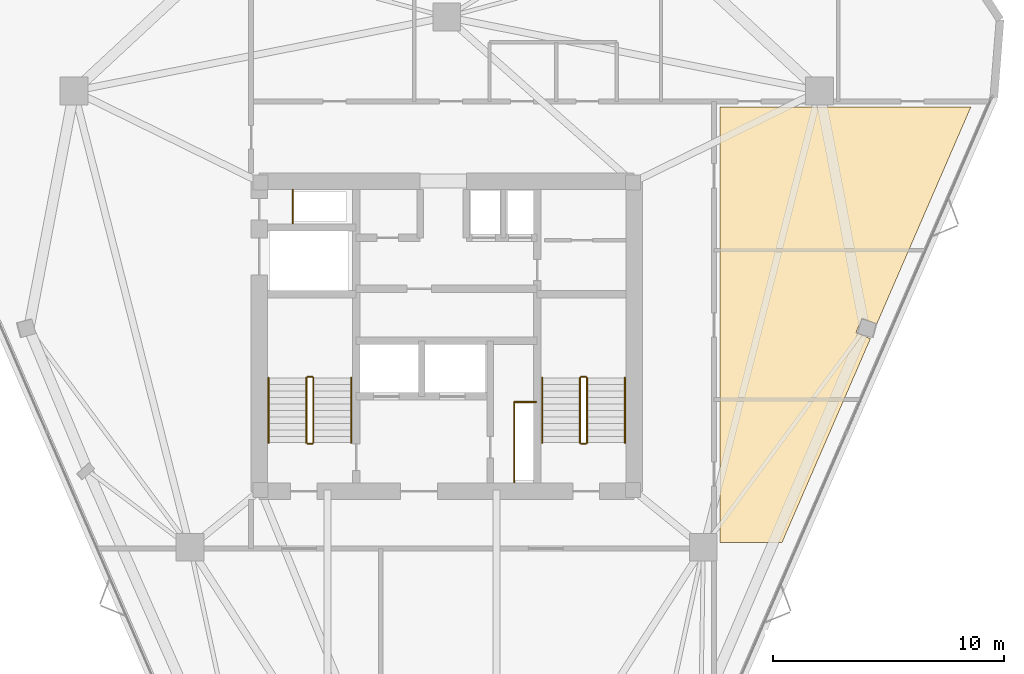
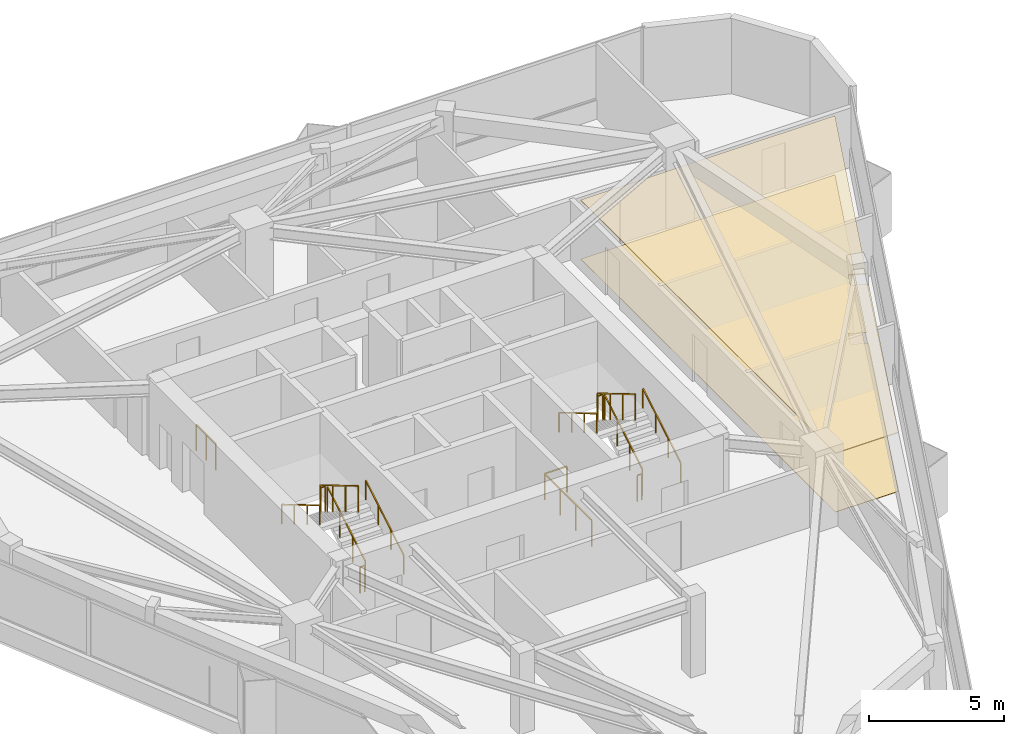
# One storey, part 11 of 11: 14 railings, 2 coverings.
"""IFC4 building model written with IfcOpenShell, lengths in metres."""

from ifc_helpers import new_model, si_unit, direction, frame, origin, origin_2d, place, context, subcontext, project, spatial, polyline, rectangle, outline, extrude, material, layer, layer_set, type_object, element, save


model = new_model("IFC4")

# Units and contexts
model_context = context("Model", 3, precision=1e-05, world=origin(), true_north=direction((0.0, 1.0)))
body_context = subcontext(model_context, "Body", "Model", "MODEL_VIEW")
ifc_project = project(units=[si_unit("LENGTHUNIT", "METRE"), si_unit("AREAUNIT", "SQUARE_METRE"), si_unit("VOLUMEUNIT", "CUBIC_METRE"), si_unit("PLANEANGLEUNIT", "RADIAN"), si_unit("MASSUNIT", "GRAM", prefix="KILO")], contexts=[model_context])

# Site, building, storey
site_placement = place(None, origin())
site = spatial("IfcSite", under=ifc_project, at=site_placement, CompositionType="ELEMENT")
building_placement = place(site_placement, origin())
building = spatial("IfcBuilding", under=site, at=building_placement, Name="Talyreon Biosciences Tower", CompositionType="ELEMENT")
storey_placement = place(building_placement, frame((0.0, 0.0, 235.25)))
storey = spatial("IfcBuildingStorey", under=building, at=storey_placement, Name="L62", CompositionType="ELEMENT", Elevation=235.25)

# Coverings
ifc_material_1 = material(Name="Cleanable acoustic mineral-fibre ceiling tile", Category="gypsum")
ifc_layer_1 = layer(ifc_material_1, 0.0400390625)
ifc_layer_set_1 = layer_set([ifc_layer_1], Name="Cleanable acoustic mineral-fibre ceiling tile")
covering_type_1 = type_object("IfcCoveringType", Name="AcousticCleanroomCeiling_40", PredefinedType="CEILING", material=ifc_layer_set_1)
covering_1_placement = place(storey_placement, frame((0.0, 0.0, 2.639892578125)))
element("IfcCovering", 1, at=covering_1_placement, inside=storey, type_object=covering_type_1, Name="L62 Acoustic Laboratory Ceiling", PredefinedType="CEILING", context=body_context, shape_type="SweptSolid", body=[
    extrude(outline(polyline([(77.800048828125, 59.080078125), (77.800048828125, 77.89990234375), (88.64208984375, 77.89990234375), (84.573486328125, 68.517333984375), (83.951171875, 68.787353515625), (83.6806640625, 68.16357421875), (84.302978515625, 67.8935546875), (80.481201171875, 59.080078125), (77.800048828125, 59.080078125)])), origin(), (0.0, 0.0, 1.0), 0.0400390625),
])
ifc_material_2 = material(Name="Chemical-resistant seamless epoxy resin flooring", Category="plastic")
ifc_layer_2 = layer(ifc_material_2, 0.014892578125)
ifc_layer_set_2 = layer_set([ifc_layer_2], Name="Chemical-resistant seamless epoxy resin flooring")
covering_type_2 = type_object("IfcCoveringType", Name="SeamlessEpoxyLabFlooring_15", PredefinedType="FLOORING", material=ifc_layer_set_2)
covering_2_placement = place(storey_placement, origin())
element("IfcCovering", 2, at=covering_2_placement, inside=storey, type_object=covering_type_2, Name="L62 Laboratory Floor Finish", PredefinedType="FLOORING", context=body_context, shape_type="SweptSolid", body=[
    extrude(outline(polyline([(77.800048828125, 59.080078125), (77.800048828125, 77.89990234375), (88.64208984375, 77.89990234375), (84.573486328125, 68.517333984375), (83.951171875, 68.787353515625), (83.6806640625, 68.16357421875), (84.302978515625, 67.8935546875), (80.481201171875, 59.080078125), (77.800048828125, 59.080078125)])), origin(), (0.0, 0.0, 1.0), 0.014892578125),
])

# Railings
ifc_material_3 = material(Name="Brushed stainless-steel tubular handrail", Category="steel")
railing_type_1 = type_object("IfcRailingType", Name="StairWallHandrail_900", PredefinedType="HANDRAIL", material=ifc_material_3)
railing_1_placement = place(storey_placement, frame((61.8798828125, 63.39990234375, 0.166015625)))
element("IfcRailing", 3, at=railing_1_placement, inside=storey, type_object=railing_type_1, Name="L62 ST-1 stair handrail 1", PredefinedType="HANDRAIL", context=body_context, shape_type="SweptSolid", body=[
    extrude(rectangle(XDim=0.048095703125, YDim=0.048095703125, at=origin_2d()), frame((0.0, 0.0, 0.8759765625), z_axis=(0.0, 0.860339051648, 0.50972219513), x_axis=(-1.0, 0.0, 0.0)), (0.0, 0.0, 1.0), 3.254638671875),
    extrude(rectangle(XDim=0.0419921875, YDim=0.0419921875, at=origin_2d()), origin(), (0.0, 0.0, 1.0), 0.851806640625),
    extrude(rectangle(XDim=0.0419921875, YDim=0.0419921875, at=origin_2d()), frame((0.0, 0.933349609375, 0.552978515625)), (0.0, 0.0, 1.0), 0.851806640625),
    extrude(rectangle(XDim=0.0419921875, YDim=0.0419921875, at=origin_2d()), frame((0.0, 1.86669921875, 1.10595703125)), (0.0, 0.0, 1.0), 0.851806640625),
    extrude(rectangle(XDim=0.0419921875, YDim=0.0419921875, at=origin_2d()), frame((0.0, 2.800048828125, 1.658935546875)), (0.0, 0.0, 1.0), 0.851806640625),
])
railing_2_placement = place(storey_placement, frame((58.300048828125, 66.199951171875, 1.990966796875)))
element("IfcRailing", 4, at=railing_2_placement, inside=storey, type_object=railing_type_1, Name="L62 ST-1 stair handrail 2", PredefinedType="HANDRAIL", context=body_context, shape_type="SweptSolid", body=[
    extrude(rectangle(XDim=0.048095703125, YDim=0.048095703125, at=origin_2d()), frame((0.0, 0.0, 0.8759765625), z_axis=(0.0, -0.860339051648, 0.50972219513), x_axis=(1.0, 0.0, 0.0)), (0.0, 0.0, 1.0), 3.254638671875),
    extrude(rectangle(XDim=0.0419921875, YDim=0.0419921875, at=origin_2d()), origin(), (0.0, 0.0, 1.0), 0.851806640625),
    extrude(rectangle(XDim=0.0419921875, YDim=0.0419921875, at=origin_2d()), frame((0.0, -0.933349609375, 0.552978515625)), (0.0, 0.0, 1.0), 0.851806640625),
    extrude(rectangle(XDim=0.0419921875, YDim=0.0419921875, at=origin_2d()), frame((0.0, -1.86669921875, 1.10595703125)), (0.0, 0.0, 1.0), 0.851806640625),
    extrude(rectangle(XDim=0.0419921875, YDim=0.0419921875, at=origin_2d()), frame((0.0, -2.800048828125, 1.658935546875)), (0.0, 0.0, 1.0), 0.851806640625),
])
railing_3_placement = place(storey_placement, frame((73.699951171875, 63.39990234375, 0.166015625)))
element("IfcRailing", 5, at=railing_3_placement, inside=storey, type_object=railing_type_1, Name="L62 ST-2 stair handrail 1", PredefinedType="HANDRAIL", context=body_context, shape_type="SweptSolid", body=[
    extrude(rectangle(XDim=0.048095703125, YDim=0.048095703125, at=origin_2d()), frame((0.0, 0.0, 0.8759765625), z_axis=(0.0, 0.860339051648, 0.50972219513), x_axis=(-1.0, 0.0, 0.0)), (0.0, 0.0, 1.0), 3.254638671875),
    extrude(rectangle(XDim=0.0419921875, YDim=0.0419921875, at=origin_2d()), origin(), (0.0, 0.0, 1.0), 0.851806640625),
    extrude(rectangle(XDim=0.0419921875, YDim=0.0419921875, at=origin_2d()), frame((0.0, 0.933349609375, 0.552978515625)), (0.0, 0.0, 1.0), 0.851806640625),
    extrude(rectangle(XDim=0.0419921875, YDim=0.0419921875, at=origin_2d()), frame((0.0, 1.86669921875, 1.10595703125)), (0.0, 0.0, 1.0), 0.851806640625),
    extrude(rectangle(XDim=0.0419921875, YDim=0.0419921875, at=origin_2d()), frame((0.0, 2.800048828125, 1.658935546875)), (0.0, 0.0, 1.0), 0.851806640625),
])
railing_4_placement = place(storey_placement, frame((70.1201171875, 66.199951171875, 1.990966796875)))
element("IfcRailing", 6, at=railing_4_placement, inside=storey, type_object=railing_type_1, Name="L62 ST-2 stair handrail 2", PredefinedType="HANDRAIL", context=body_context, shape_type="SweptSolid", body=[
    extrude(rectangle(XDim=0.048095703125, YDim=0.048095703125, at=origin_2d()), frame((0.0, 0.0, 0.8759765625), z_axis=(0.0, -0.860339051648, 0.50972219513), x_axis=(1.0, 0.0, 0.0)), (0.0, 0.0, 1.0), 3.254638671875),
    extrude(rectangle(XDim=0.0419921875, YDim=0.0419921875, at=origin_2d()), origin(), (0.0, 0.0, 1.0), 0.851806640625),
    extrude(rectangle(XDim=0.0419921875, YDim=0.0419921875, at=origin_2d()), frame((0.0, -0.933349609375, 0.552978515625)), (0.0, 0.0, 1.0), 0.851806640625),
    extrude(rectangle(XDim=0.0419921875, YDim=0.0419921875, at=origin_2d()), frame((0.0, -1.86669921875, 1.10595703125)), (0.0, 0.0, 1.0), 0.851806640625),
    extrude(rectangle(XDim=0.0419921875, YDim=0.0419921875, at=origin_2d()), frame((0.0, -2.800048828125, 1.658935546875)), (0.0, 0.0, 1.0), 0.851806640625),
])
ifc_material_4 = material(Name="Painted galvanised steel post-and-rail balustrade", Category="steel")
railing_type_2 = type_object("IfcRailingType", Name="TerraceStairGuard_1200", PredefinedType="GUARDRAIL", material=ifc_material_4)
railing_5_placement = place(storey_placement, frame((60.239990234375, 63.39990234375, 0.166015625)))
element("IfcRailing", 7, at=railing_5_placement, inside=storey, type_object=railing_type_2, Name="L62 ST-1 stair guard 1", PredefinedType="GUARDRAIL", context=body_context, shape_type="SweptSolid", body=[
    extrude(rectangle(XDim=0.048095703125, YDim=0.048095703125, at=origin_2d()), frame((0.0, 0.0, 1.17578125), z_axis=(0.0, 0.860339051648, 0.50972219513), x_axis=(-1.0, 0.0, 0.0)), (0.0, 0.0, 1.0), 3.254638671875),
    extrude(rectangle(XDim=0.0419921875, YDim=0.0419921875, at=origin_2d()), origin(), (0.0, 0.0, 1.0), 1.15185546875),
    extrude(rectangle(XDim=0.0419921875, YDim=0.0419921875, at=origin_2d()), frame((0.0, 0.933349609375, 0.552978515625)), (0.0, 0.0, 1.0), 1.15185546875),
    extrude(rectangle(XDim=0.0419921875, YDim=0.0419921875, at=origin_2d()), frame((0.0, 1.86669921875, 1.10595703125)), (0.0, 0.0, 1.0), 1.15185546875),
    extrude(rectangle(XDim=0.0419921875, YDim=0.0419921875, at=origin_2d()), frame((0.0, 2.800048828125, 1.658935546875)), (0.0, 0.0, 1.0), 1.15185546875),
])
railing_6_placement = place(storey_placement, frame((60.18994140625, 66.25, 1.824951171875)))
element("IfcRailing", 8, at=railing_6_placement, inside=storey, type_object=railing_type_2, Name="L62 ST-1 stair guard 2", PredefinedType="GUARDRAIL", context=body_context, shape_type="SweptSolid", body=[
    extrude(rectangle(XDim=0.048095703125, YDim=0.048095703125, at=origin_2d()), frame((0.0, 0.0, 1.17578125), z_axis=(-1.0, 0.0, 0.0), x_axis=(0.0, -1.0, 0.0)), (0.0, 0.0, 1.0), 0.199951171875),
    extrude(rectangle(XDim=0.0419921875, YDim=0.0419921875, at=origin_2d()), origin(), (0.0, 0.0, 1.0), 1.15185546875),
    extrude(rectangle(XDim=0.0419921875, YDim=0.0419921875, at=origin_2d()), frame((-0.199951171875, 0.0, 0.0)), (0.0, 0.0, 1.0), 1.15185546875),
])
railing_7_placement = place(storey_placement, frame((59.93994140625, 66.199951171875, 1.990966796875)))
element("IfcRailing", 9, at=railing_7_placement, inside=storey, type_object=railing_type_2, Name="L62 ST-1 stair guard 3", PredefinedType="GUARDRAIL", context=body_context, shape_type="SweptSolid", body=[
    extrude(rectangle(XDim=0.048095703125, YDim=0.048095703125, at=origin_2d()), frame((0.0, 0.0, 1.17578125), z_axis=(0.0, -0.860339051648, 0.50972219513), x_axis=(1.0, 0.0, 0.0)), (0.0, 0.0, 1.0), 3.254638671875),
    extrude(rectangle(XDim=0.0419921875, YDim=0.0419921875, at=origin_2d()), origin(), (0.0, 0.0, 1.0), 1.15185546875),
    extrude(rectangle(XDim=0.0419921875, YDim=0.0419921875, at=origin_2d()), frame((0.0, -0.933349609375, 0.552978515625)), (0.0, 0.0, 1.0), 1.15185546875),
    extrude(rectangle(XDim=0.0419921875, YDim=0.0419921875, at=origin_2d()), frame((0.0, -1.86669921875, 1.10595703125)), (0.0, 0.0, 1.0), 1.15185546875),
    extrude(rectangle(XDim=0.0419921875, YDim=0.0419921875, at=origin_2d()), frame((0.0, -2.800048828125, 1.658935546875)), (0.0, 0.0, 1.0), 1.15185546875),
])
railing_8_placement = place(storey_placement, frame((60.18994140625, 63.35009765625, 0.0)))
element("IfcRailing", 10, at=railing_8_placement, inside=storey, type_object=railing_type_2, Name="L62 ST-1 stair guard 4", PredefinedType="GUARDRAIL", context=body_context, shape_type="SweptSolid", body=[
    extrude(rectangle(XDim=0.048095703125, YDim=0.048095703125, at=origin_2d()), frame((0.0, 0.0, 1.17578125), z_axis=(-1.0, 0.0, 0.0), x_axis=(0.0, -1.0, 0.0)), (0.0, 0.0, 1.0), 0.199951171875),
    extrude(rectangle(XDim=0.0419921875, YDim=0.0419921875, at=origin_2d()), origin(), (0.0, 0.0, 1.0), 1.15185546875),
    extrude(rectangle(XDim=0.0419921875, YDim=0.0419921875, at=origin_2d()), frame((-0.199951171875, 0.0, 0.0)), (0.0, 0.0, 1.0), 1.15185546875),
])
railing_9_placement = place(storey_placement, frame((72.06005859375, 63.39990234375, 0.166015625)))
element("IfcRailing", 11, at=railing_9_placement, inside=storey, type_object=railing_type_2, Name="L62 ST-2 stair guard 1", PredefinedType="GUARDRAIL", context=body_context, shape_type="SweptSolid", body=[
    extrude(rectangle(XDim=0.048095703125, YDim=0.048095703125, at=origin_2d()), frame((0.0, 0.0, 1.17578125), z_axis=(0.0, 0.860339051648, 0.50972219513), x_axis=(-1.0, 0.0, 0.0)), (0.0, 0.0, 1.0), 3.254638671875),
    extrude(rectangle(XDim=0.0419921875, YDim=0.0419921875, at=origin_2d()), origin(), (0.0, 0.0, 1.0), 1.15185546875),
    extrude(rectangle(XDim=0.0419921875, YDim=0.0419921875, at=origin_2d()), frame((0.0, 0.933349609375, 0.552978515625)), (0.0, 0.0, 1.0), 1.15185546875),
    extrude(rectangle(XDim=0.0419921875, YDim=0.0419921875, at=origin_2d()), frame((0.0, 1.86669921875, 1.10595703125)), (0.0, 0.0, 1.0), 1.15185546875),
    extrude(rectangle(XDim=0.0419921875, YDim=0.0419921875, at=origin_2d()), frame((0.0, 2.800048828125, 1.658935546875)), (0.0, 0.0, 1.0), 1.15185546875),
])
railing_10_placement = place(storey_placement, frame((72.010009765625, 66.25, 1.824951171875)))
element("IfcRailing", 12, at=railing_10_placement, inside=storey, type_object=railing_type_2, Name="L62 ST-2 stair guard 2", PredefinedType="GUARDRAIL", context=body_context, shape_type="SweptSolid", body=[
    extrude(rectangle(XDim=0.048095703125, YDim=0.048095703125, at=origin_2d()), frame((0.0, 0.0, 1.17578125), z_axis=(-1.0, 0.0, 0.0), x_axis=(0.0, -1.0, 0.0)), (0.0, 0.0, 1.0), 0.199951171875),
    extrude(rectangle(XDim=0.0419921875, YDim=0.0419921875, at=origin_2d()), origin(), (0.0, 0.0, 1.0), 1.15185546875),
    extrude(rectangle(XDim=0.0419921875, YDim=0.0419921875, at=origin_2d()), frame((-0.199951171875, 0.0, 0.0)), (0.0, 0.0, 1.0), 1.15185546875),
])
railing_11_placement = place(storey_placement, frame((71.760009765625, 66.199951171875, 1.990966796875)))
element("IfcRailing", 13, at=railing_11_placement, inside=storey, type_object=railing_type_2, Name="L62 ST-2 stair guard 3", PredefinedType="GUARDRAIL", context=body_context, shape_type="SweptSolid", body=[
    extrude(rectangle(XDim=0.048095703125, YDim=0.048095703125, at=origin_2d()), frame((0.0, 0.0, 1.17578125), z_axis=(0.0, -0.860339051648, 0.50972219513), x_axis=(1.0, 0.0, 0.0)), (0.0, 0.0, 1.0), 3.254638671875),
    extrude(rectangle(XDim=0.0419921875, YDim=0.0419921875, at=origin_2d()), origin(), (0.0, 0.0, 1.0), 1.15185546875),
    extrude(rectangle(XDim=0.0419921875, YDim=0.0419921875, at=origin_2d()), frame((0.0, -0.933349609375, 0.552978515625)), (0.0, 0.0, 1.0), 1.15185546875),
    extrude(rectangle(XDim=0.0419921875, YDim=0.0419921875, at=origin_2d()), frame((0.0, -1.86669921875, 1.10595703125)), (0.0, 0.0, 1.0), 1.15185546875),
    extrude(rectangle(XDim=0.0419921875, YDim=0.0419921875, at=origin_2d()), frame((0.0, -2.800048828125, 1.658935546875)), (0.0, 0.0, 1.0), 1.15185546875),
])
railing_12_placement = place(storey_placement, frame((72.010009765625, 63.35009765625, 0.0)))
element("IfcRailing", 14, at=railing_12_placement, inside=storey, type_object=railing_type_2, Name="L62 ST-2 stair guard 4", PredefinedType="GUARDRAIL", context=body_context, shape_type="SweptSolid", body=[
    extrude(rectangle(XDim=0.048095703125, YDim=0.048095703125, at=origin_2d()), frame((0.0, 0.0, 1.17578125), z_axis=(-1.0, 0.0, 0.0), x_axis=(0.0, -1.0, 0.0)), (0.0, 0.0, 1.0), 0.199951171875),
    extrude(rectangle(XDim=0.0419921875, YDim=0.0419921875, at=origin_2d()), origin(), (0.0, 0.0, 1.0), 1.15185546875),
    extrude(rectangle(XDim=0.0419921875, YDim=0.0419921875, at=origin_2d()), frame((-0.199951171875, 0.0, 0.0)), (0.0, 0.0, 1.0), 1.15185546875),
])
railing_13_placement = place(storey_placement, frame((59.35009765625, 72.8798828125, 0.0)))
element("IfcRailing", 15, at=railing_13_placement, inside=storey, type_object=railing_type_2, Name="L62 Exhaust Riser Maintenance Guardrail", PredefinedType="GUARDRAIL", context=body_context, shape_type="SweptSolid", body=[
    extrude(rectangle(XDim=0.048095703125, YDim=0.048095703125, at=origin_2d()), frame((0.0, 0.0, 1.17578125), z_axis=(0.0, 1.0, 0.0), x_axis=(-1.0, 0.0, 0.0)), (0.0, 0.0, 1.0), 1.4501953125),
    extrude(rectangle(XDim=0.0419921875, YDim=0.0419921875, at=origin_2d()), origin(), (0.0, 0.0, 1.0), 1.15185546875),
    extrude(rectangle(XDim=0.0419921875, YDim=0.0419921875, at=origin_2d()), frame((0.0, 0.72509765625, 0.0)), (0.0, 0.0, 1.0), 1.15185546875),
    extrude(rectangle(XDim=0.0419921875, YDim=0.0419921875, at=origin_2d()), frame((0.0, 1.4501953125, 0.0)), (0.0, 0.0, 1.0), 1.15185546875),
])
railing_14_placement = place(storey_placement, frame((68.909912109375, 61.699951171875, 0.0)))
element("IfcRailing", 16, at=railing_14_placement, inside=storey, type_object=railing_type_2, Name="L62 Electrical Riser Maintenance Guardrail", PredefinedType="GUARDRAIL", context=body_context, shape_type="SweptSolid", body=[
    extrude(rectangle(XDim=0.048095703125, YDim=0.048095703125, at=origin_2d()), frame((0.0, 0.0, 1.17578125), z_axis=(0.0, 1.0, 0.0), x_axis=(-1.0, 0.0, 0.0)), (0.0, 0.0, 1.0), 3.4599609375),
    extrude(rectangle(XDim=0.048095703125, YDim=0.048095703125, at=origin_2d()), frame((0.0, 3.4599609375, 1.17578125), z_axis=(1.0, 0.0, 0.0), x_axis=(0.0, 1.0, 0.0)), (0.0, 0.0, 1.0), 0.9501953125),
    extrude(rectangle(XDim=0.0419921875, YDim=0.0419921875, at=origin_2d()), origin(), (0.0, 0.0, 1.0), 1.15185546875),
    extrude(rectangle(XDim=0.0419921875, YDim=0.0419921875, at=origin_2d()), frame((0.0, 1.1533203125, 0.0)), (0.0, 0.0, 1.0), 1.15185546875),
    extrude(rectangle(XDim=0.0419921875, YDim=0.0419921875, at=origin_2d()), frame((0.0, 2.306640625, 0.0)), (0.0, 0.0, 1.0), 1.15185546875),
    extrude(rectangle(XDim=0.0419921875, YDim=0.0419921875, at=origin_2d()), frame((0.0, 3.4599609375, 0.0)), (0.0, 0.0, 1.0), 1.15185546875),
    extrude(rectangle(XDim=0.0419921875, YDim=0.0419921875, at=origin_2d()), frame((0.9501953125, 3.4599609375, 0.0)), (0.0, 0.0, 1.0), 1.15185546875),
])

save(model, "model.ifc")
